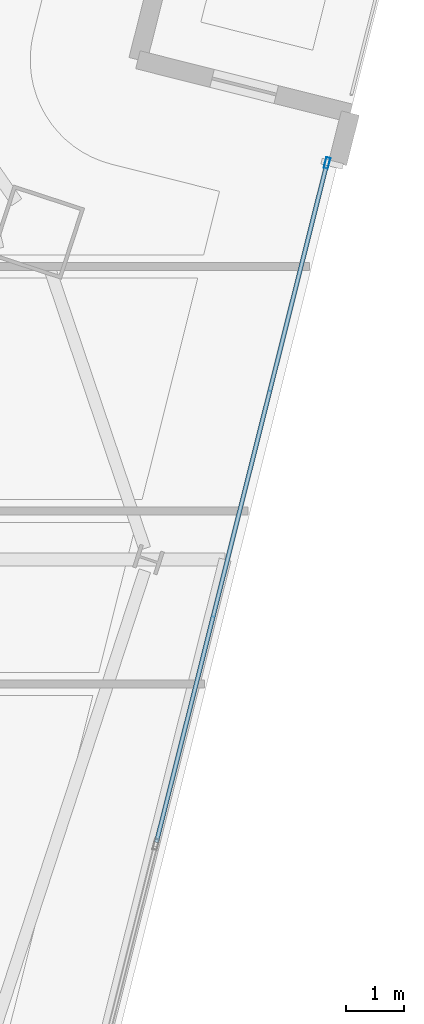
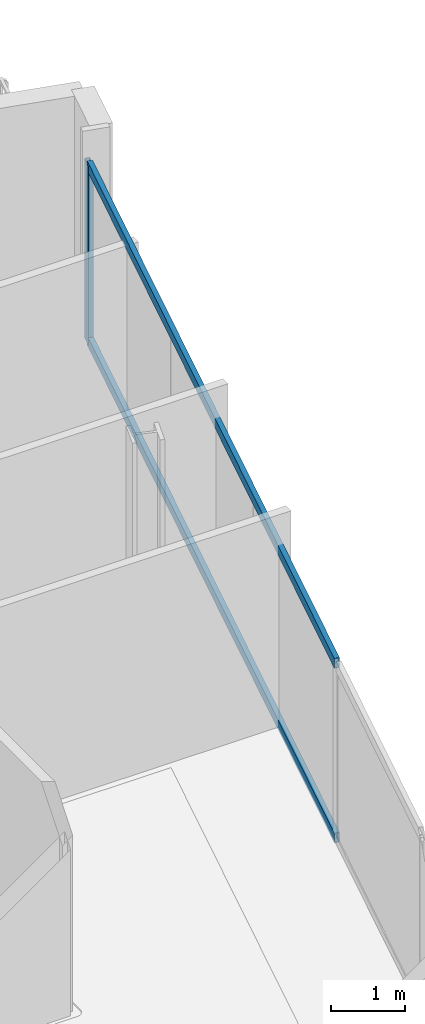
# One storey, part 17 of 28: 3 members, 1 element without a shape of its own.
"""IFC4 building model written with IfcOpenShell, lengths in metres."""

from ifc_helpers import new_model, si_unit, direction, frame, origin, origin_2d, place, context, subcontext, project, spatial, hollow_rectangle, extrude, material, material_profile, profile_set, type_object, element, aggregate, save


model = new_model("IFC4")

# Units and contexts
model_context = context("Model", 3, precision=1e-05, world=origin(), true_north=direction((0.0, 1.0)))
body_context = subcontext(model_context, "Body", "Model", "MODEL_VIEW")
ifc_project = project(units=[si_unit("LENGTHUNIT", "METRE"), si_unit("AREAUNIT", "SQUARE_METRE"), si_unit("VOLUMEUNIT", "CUBIC_METRE"), si_unit("PLANEANGLEUNIT", "RADIAN"), si_unit("MASSUNIT", "GRAM", prefix="KILO")], contexts=[model_context])

# Site, building, storey
site_placement = place(None, origin())
site = spatial("IfcSite", under=ifc_project, at=site_placement, CompositionType="ELEMENT")
building_placement = place(site_placement, origin())
building = spatial("IfcBuilding", under=site, at=building_placement, Name="Haldenkirk Collegiate Tower", CompositionType="ELEMENT")
storey_placement = place(building_placement, frame((0.0, 0.0, 282.449951171875)))
storey = spatial("IfcBuildingStorey", under=building, at=storey_placement, Name="L71", CompositionType="ELEMENT", Elevation=282.449951171875)

# Curtain wall, members
ifc_material = material(Name="Anodised architectural bronze aluminium", Category="aluminium")
curtain_wall_type = type_object("IfcCurtainWallType", Name="CW-SYS2-CONCAVE", PredefinedType="USERDEFINED", material=ifc_material)
curtain_wall_placement = place(storey_placement, origin())
curtain_wall = element("IfcCurtainWall", 1, at=curtain_wall_placement, inside=storey, type_object=curtain_wall_type, Name="L71 South concave recessed bronze-anodised curtain wall", ObjectType="UNITISED CURTAIN WALL", PredefinedType="USERDEFINED")
ifc_material_profile_1 = material_profile(ifc_material, hollow_rectangle(XDim=0.074951171875, YDim=0.18994140625, WallThickness=0.0048828125, at=origin_2d()), Name="CW-MUL-02")
ifc_profile_set_1 = profile_set([ifc_material_profile_1], Name="Anodised architectural bronze aluminium")
member_type_1 = type_object("IfcMemberType", Name="CW-MUL-02", PredefinedType="MULLION", material=ifc_profile_set_1)
member_1_placement = place(storey_placement, frame((62.423828125, 38.244140625, 0.0), z_axis=(0.0, 0.0, 1.0), x_axis=(0.96987230545, -0.243613856588, 0.0)))
member_1 = element("IfcMember", 2, at=member_1_placement, type_object=member_type_1, Name="CW-02 mullion 1", PredefinedType="MULLION", context=body_context, shape_type="SweptSolid", body=[
    extrude(hollow_rectangle(XDim=0.074951171875, YDim=0.18994140625, WallThickness=0.0048828125, at=origin_2d()), origin(), (0.0, 0.0, 1.0), 2.93798828125),
])
ifc_material_profile_2 = material_profile(ifc_material, hollow_rectangle(XDim=0.074951171875, YDim=0.159912109375, WallThickness=0.0048828125, at=origin_2d()), Name="CW-TRN-02")
ifc_profile_set_2 = profile_set([ifc_material_profile_2], Name="Anodised architectural bronze aluminium")
member_type_2 = type_object("IfcMemberType", Name="CW-TRN-02", PredefinedType="USERDEFINED", material=ifc_profile_set_2)
member_2_placement = place(storey_placement, frame((62.414794921875, 38.207763671875, 0.03759765625), z_axis=(-0.243620786305, -0.969870564808, 0.0), x_axis=(0.969870564808, -0.243620786305, 0.0)))
member_2 = element("IfcMember", 3, at=member_2_placement, type_object=member_type_2, Name="CW-02 transom 1.1", ObjectType="TRANSOM", PredefinedType="USERDEFINED", context=body_context, shape_type="SweptSolid", body=[
    extrude(hollow_rectangle(XDim=0.074951171875, YDim=0.159912109375, WallThickness=0.0048828125, at=origin_2d()), origin(), (0.0, 0.0, 1.0), 12.120849609375),
])
member_3_placement = place(storey_placement, frame((62.414794921875, 38.207763671875, 2.900634765625), z_axis=(-0.243620786305, -0.969870564808, 0.0), x_axis=(0.969870564808, -0.243620786305, 0.0)))
member_3 = element("IfcMember", 4, at=member_3_placement, type_object=member_type_2, Name="CW-02 transom 1.2", ObjectType="TRANSOM", PredefinedType="USERDEFINED", context=body_context, shape_type="SweptSolid", body=[
    extrude(hollow_rectangle(XDim=0.074951171875, YDim=0.159912109375, WallThickness=0.0048828125, at=origin_2d()), origin(), (0.0, 0.0, 1.0), 12.120849609375),
])
aggregate(curtain_wall, [member_1, member_2, member_3])

save(model, "model.ifc")
